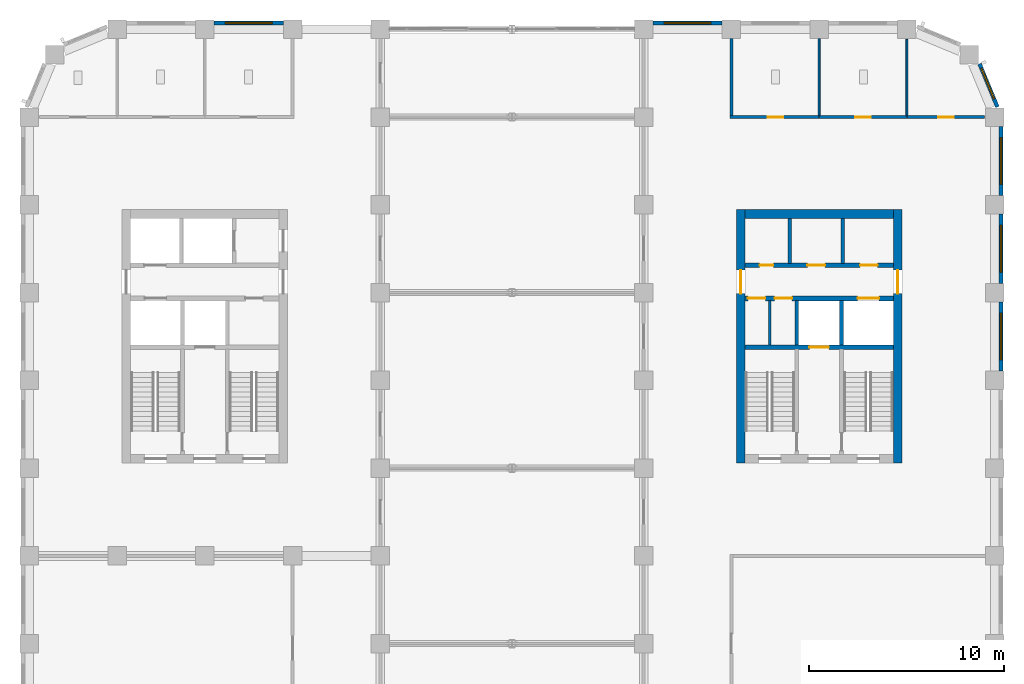
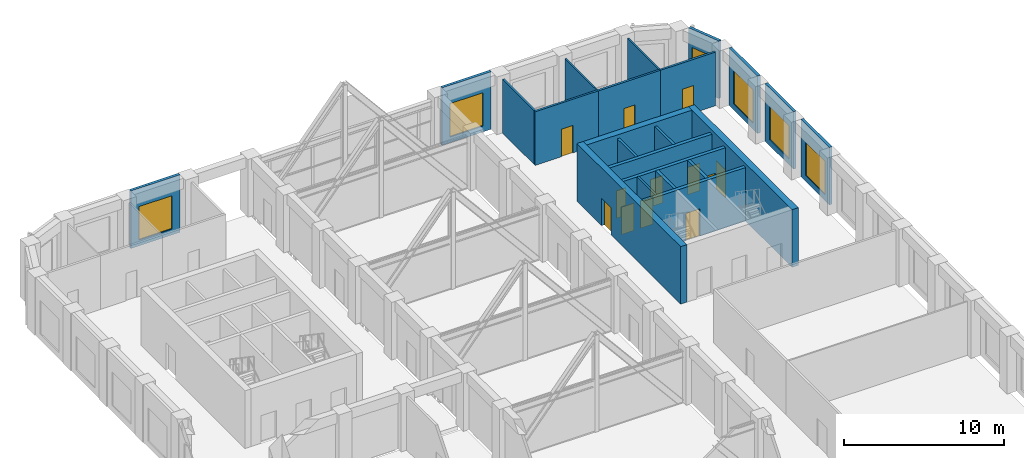
# One storey, part 11 of 15: 23 walls, 12 doors, 6 windows, 18 openings.
"""IFC4 building model written with IfcOpenShell, lengths in metres."""

from ifc_helpers import new_model, si_unit, direction, frame, frame_2d, origin, place, context, subcontext, project, spatial, rectangle, extrude, material, layer, layer_set, type_object, element, fill, save


model = new_model("IFC4")

# Units and contexts
model_context = context("Model", 3, precision=1e-05, world=origin(), true_north=direction((0.0, 1.0)))
body_context = subcontext(model_context, "Body", "Model", "MODEL_VIEW")
ifc_project = project(units=[si_unit("LENGTHUNIT", "METRE"), si_unit("AREAUNIT", "SQUARE_METRE"), si_unit("VOLUMEUNIT", "CUBIC_METRE"), si_unit("PLANEANGLEUNIT", "RADIAN"), si_unit("MASSUNIT", "GRAM", prefix="KILO")], contexts=[model_context])

# Site, building, storey
site_placement = place(None, origin())
site = spatial("IfcSite", under=ifc_project, at=site_placement, CompositionType="ELEMENT")
building_placement = place(site_placement, origin())
building = spatial("IfcBuilding", under=site, at=building_placement, Name="Girih Gate Residences", CompositionType="ELEMENT")
storey_placement = place(building_placement, frame((0.0, 0.0, 168.199951171875)))
storey = spatial("IfcBuildingStorey", under=building, at=storey_placement, Name="L46", CompositionType="ELEMENT", Elevation=168.199951171875)

# Wall, opening, door
ifc_material_1 = material(Name="Gypsum board on steel studs", Category="steel")
ifc_layer_1 = layer(ifc_material_1, 0.14990234375)
ifc_layer_set_1 = layer_set([ifc_layer_1], Name="Compartment wall 150 mm")
wall_type_1 = type_object("IfcWallType", Name="Compartment wall 150 mm", PredefinedType="PARTITIONING", material=ifc_layer_set_1)
wall_1_placement = place(storey_placement, frame((45.0, 45.0, 0.0), z_axis=(0.0, 0.0, 1.0), x_axis=(1.0, 0.0, 0.0)))
wall_1 = element("IfcWall", 1, at=wall_1_placement, inside=storey, type_object=wall_type_1, Name="L46 partition", PredefinedType="PARTITIONING", context=body_context, shape_type="SweptSolid", body=[
    extrude(rectangle(XDim=3.98583984375, YDim=0.14990234375, at=frame_2d((1.992919921875, 0.0))), origin(), (0.0, 0.0, 1.0), 4.10009765625),
])
opening_1_placement = place(wall_1_placement, frame((1.593017578125, 0.0, 0.0)))
opening_1 = element("IfcOpeningElement", 2, at=opening_1_placement, cuts=wall_1, Name="Opening D-L46-S-010", PredefinedType="OPENING", context=body_context, shape_type="SweptSolid", body=[
    extrude(rectangle(XDim=0.800048828125, YDim=2.10009765625, at=frame_2d((0.39990234375, 1.050048828125))), frame((0.0, 0.0849609375, 0.0), z_axis=(0.0, -1.0, 0.0), x_axis=(1.0, 0.0, 0.0)), (0.0, 0.0, 1.0), 0.169921875),
])
ifc_material_2 = material(Name="Timber", Category="wood")
door_type_1 = type_object("IfcDoorType", Name="WC and store door 800x2100", OperationType="SINGLE_SWING_LEFT", PredefinedType="DOOR", material=ifc_material_2)
door_1_placement = place(opening_1_placement, origin())
door_1 = element("IfcDoor", 3, at=door_1_placement, inside=storey, type_object=door_type_1, Name="Door L46-010", OperationType="SINGLE_SWING_RIGHT", OverallHeight=2.10009765625, OverallWidth=0.800048828125, PredefinedType="DOOR", context=body_context, shape_type="SweptSolid", body=[
    extrude(rectangle(XDim=0.800048828125, YDim=2.10009765625, at=frame_2d((0.39990234375, 1.050048828125))), frame((0.0, 0.02490234375, 0.0), z_axis=(0.0, -1.0, 0.0), x_axis=(1.0, 0.0, 0.0)), (0.0, 0.0, 1.0), 0.050048828125),
])
fill(opening_1, door_1)

wall_2_placement = place(storey_placement, frame((40.5, 45.0, 0.0), z_axis=(0.0, 0.0, 1.0), x_axis=(1.0, 0.0, 0.0)))
wall_2 = element("IfcWall", 4, at=wall_2_placement, inside=storey, type_object=wall_type_1, Name="L46 partition", PredefinedType="PARTITIONING", context=body_context, shape_type="SweptSolid", body=[
    extrude(rectangle(XDim=4.5, YDim=0.14990234375, at=frame_2d((2.25, 0.0))), origin(), (0.0, 0.0, 1.0), 4.10009765625),
])
opening_2_placement = place(wall_2_placement, frame((1.85009765625, 0.0, 0.0)))
opening_2 = element("IfcOpeningElement", 5, at=opening_2_placement, cuts=wall_2, Name="Opening D-L46-S-011", PredefinedType="OPENING", context=body_context, shape_type="SweptSolid", body=[
    extrude(rectangle(XDim=0.800048828125, YDim=2.10009765625, at=frame_2d((0.39990234375, 1.050048828125))), frame((0.0, 0.0849609375, 0.0), z_axis=(0.0, -1.0, 0.0), x_axis=(1.0, 0.0, 0.0)), (0.0, 0.0, 1.0), 0.169921875),
])
door_2_placement = place(opening_2_placement, origin())
door_2 = element("IfcDoor", 6, at=door_2_placement, inside=storey, type_object=door_type_1, Name="Door L46-011", OperationType="SINGLE_SWING_RIGHT", OverallHeight=2.10009765625, OverallWidth=0.800048828125, PredefinedType="DOOR", context=body_context, shape_type="SweptSolid", body=[
    extrude(rectangle(XDim=0.800048828125, YDim=2.10009765625, at=frame_2d((0.39990234375, 1.050048828125))), frame((0.0, 0.02490234375, 0.0), z_axis=(0.0, -1.0, 0.0), x_axis=(1.0, 0.0, 0.0)), (0.0, 0.0, 1.0), 0.050048828125),
])
fill(opening_2, door_2)

# Wall
wall_3_placement = place(storey_placement, frame((36.0, 45.074951171875, 0.0), z_axis=(0.0, 0.0, 1.0), x_axis=(0.0, 1.0, 0.0)))
element("IfcWall", 7, at=wall_3_placement, inside=storey, type_object=wall_type_1, Name="L46 partition", PredefinedType="PARTITIONING", context=body_context, shape_type="SweptSolid", body=[
    extrude(rectangle(XDim=3.949951171875, YDim=0.14990234375, at=frame_2d((1.97509765625, 0.0))), origin(), (0.0, 0.0, 1.0), 4.10009765625),
])

# Wall, opening, door
wall_4_placement = place(storey_placement, frame((35.925048828125, 45.0, 0.0), z_axis=(0.0, 0.0, 1.0), x_axis=(1.0, 0.0, 0.0)))
wall_4 = element("IfcWall", 8, at=wall_4_placement, inside=storey, type_object=wall_type_1, Name="L46 partition", PredefinedType="PARTITIONING", context=body_context, shape_type="SweptSolid", body=[
    extrude(rectangle(XDim=4.574951171875, YDim=0.14990234375, at=frame_2d((2.28759765625, 0.0))), origin(), (0.0, 0.0, 1.0), 4.10009765625),
])
opening_3_placement = place(wall_4_placement, frame((1.925048828125, 0.0, 0.0)))
opening_3 = element("IfcOpeningElement", 9, at=opening_3_placement, cuts=wall_4, Name="Opening D-L46-S-012", PredefinedType="OPENING", context=body_context, shape_type="SweptSolid", body=[
    extrude(rectangle(XDim=0.800048828125, YDim=2.10009765625, at=frame_2d((0.39990234375, 1.050048828125))), frame((0.0, 0.0849609375, 0.0), z_axis=(0.0, -1.0, 0.0), x_axis=(1.0, 0.0, 0.0)), (0.0, 0.0, 1.0), 0.169921875),
])
door_3_placement = place(opening_3_placement, origin())
door_3 = element("IfcDoor", 10, at=door_3_placement, inside=storey, type_object=door_type_1, Name="Door L46-012", OperationType="SINGLE_SWING_RIGHT", OverallHeight=2.10009765625, OverallWidth=0.800048828125, PredefinedType="DOOR", context=body_context, shape_type="SweptSolid", body=[
    extrude(rectangle(XDim=0.800048828125, YDim=2.10009765625, at=frame_2d((0.39990234375, 1.050048828125))), frame((0.0, 0.02490234375, 0.0), z_axis=(0.0, -1.0, 0.0), x_axis=(1.0, 0.0, 0.0)), (0.0, 0.0, 1.0), 0.050048828125),
])
fill(opening_3, door_3)

# Wall
ifc_material_3 = material(Name="Concrete C60/75", Category="concrete")
ifc_layer_2 = layer(ifc_material_3, 0.449951171875)
ifc_layer_set_2 = layer_set([ifc_layer_2], Name="Core wall RC 450 Concrete C60/75")
wall_type_2 = type_object("IfcWallType", Name="Core wall RC 450 Concrete C60/75", PredefinedType="SOLIDWALL", material=ifc_layer_set_2)
wall_5_placement = place(storey_placement, frame((36.699951171875, 40.02490234375, 0.0), z_axis=(0.0, 0.0, 1.0), x_axis=(1.0, 0.0, 0.0)))
element("IfcWall", 11, at=wall_5_placement, inside=storey, type_object=wall_type_2, Name="Core wall E-N L46", PredefinedType="SOLIDWALL", context=body_context, shape_type="SweptSolid", body=[
    extrude(rectangle(XDim=7.60009765625, YDim=0.449951171875, at=frame_2d((3.800048828125, 0.0))), origin(), (0.0, 0.0, 1.0), 4.400146484375),
])

# Wall, opening, door
wall_6_placement = place(storey_placement, frame((36.47509765625, 27.25, 0.0), z_axis=(0.0, 0.0, 1.0), x_axis=(0.0, 1.0, 0.0)))
wall_6 = element("IfcWall", 12, at=wall_6_placement, inside=storey, type_object=wall_type_2, Name="Core wall E-W L46", PredefinedType="SOLIDWALL", context=body_context, shape_type="SweptSolid", body=[
    extrude(rectangle(XDim=13.0, YDim=0.449951171875, at=frame_2d((6.5, 0.0))), origin(), (0.0, 0.0, 1.0), 4.400146484375),
])
opening_4_placement = place(wall_6_placement, frame((8.699951171875, 0.0, 0.0)))
opening_4 = element("IfcOpeningElement", 13, at=opening_4_placement, cuts=wall_6, Name="Opening D-L46-E-013", PredefinedType="OPENING", context=body_context, shape_type="SweptSolid", body=[
    extrude(rectangle(XDim=1.199951171875, YDim=2.10009765625, at=frame_2d((0.60009765625, 1.050048828125))), frame((0.0, 0.23486328125, 0.0), z_axis=(0.0, -1.0, 0.0), x_axis=(1.0, 0.0, 0.0)), (0.0, 0.0, 1.0), 0.469970703125),
])
ifc_material_4 = material(Name="Painted steel, fire-resisting", Category="steel")
door_type_2 = type_object("IfcDoorType", Name="Fire door 1200x2100", OperationType="SINGLE_SWING_LEFT", PredefinedType="DOOR", material=ifc_material_4)
door_4_placement = place(opening_4_placement, origin())
door_4 = element("IfcDoor", 14, at=door_4_placement, inside=storey, type_object=door_type_2, Name="L46 E core door ll-w", OperationType="SINGLE_SWING_LEFT", OverallHeight=2.10009765625, OverallWidth=1.199951171875, PredefinedType="DOOR", context=body_context, shape_type="SweptSolid", body=[
    extrude(rectangle(XDim=1.199951171875, YDim=2.10009765625, at=frame_2d((0.60009765625, 1.050048828125))), frame((0.0, 0.02490234375, 0.0), z_axis=(0.0, -1.0, 0.0), x_axis=(1.0, 0.0, 0.0)), (0.0, 0.0, 1.0), 0.050048828125),
])
fill(opening_4, door_4)

wall_7_placement = place(storey_placement, frame((44.52490234375, 27.25, 0.0), z_axis=(0.0, 0.0, 1.0), x_axis=(0.0, 1.0, 0.0)))
wall_7 = element("IfcWall", 15, at=wall_7_placement, inside=storey, type_object=wall_type_2, Name="Core wall E-E L46", PredefinedType="SOLIDWALL", context=body_context, shape_type="SweptSolid", body=[
    extrude(rectangle(XDim=13.0, YDim=0.449951171875, at=frame_2d((6.5, 0.0))), origin(), (0.0, 0.0, 1.0), 4.400146484375),
])
opening_5_placement = place(wall_7_placement, frame((8.699951171875, 0.0, 0.0)))
opening_5 = element("IfcOpeningElement", 16, at=opening_5_placement, cuts=wall_7, Name="Opening D-L46-E-014", PredefinedType="OPENING", context=body_context, shape_type="SweptSolid", body=[
    extrude(rectangle(XDim=1.199951171875, YDim=2.10009765625, at=frame_2d((0.60009765625, 1.050048828125))), frame((0.0, 0.23486328125, 0.0), z_axis=(0.0, -1.0, 0.0), x_axis=(1.0, 0.0, 0.0)), (0.0, 0.0, 1.0), 0.469970703125),
])
door_5_placement = place(opening_5_placement, origin())
door_5 = element("IfcDoor", 17, at=door_5_placement, inside=storey, type_object=door_type_2, Name="L46 E core door ll-e", OperationType="SINGLE_SWING_LEFT", OverallHeight=2.10009765625, OverallWidth=1.199951171875, PredefinedType="DOOR", context=body_context, shape_type="SweptSolid", body=[
    extrude(rectangle(XDim=1.199951171875, YDim=2.10009765625, at=frame_2d((0.60009765625, 1.050048828125))), frame((0.0, 0.02490234375, 0.0), z_axis=(0.0, -1.0, 0.0), x_axis=(1.0, 0.0, 0.0)), (0.0, 0.0, 1.0), 0.050048828125),
])
fill(opening_5, door_5)

ifc_material_5 = material(Name="Concrete C40/50", Category="concrete")
ifc_layer_3 = layer(ifc_material_5, 0.25)
ifc_layer_set_3 = layer_set([ifc_layer_3], Name="Lift shaft wall 250")
wall_type_3 = type_object("IfcWallType", Name="Lift shaft wall 250", PredefinedType="SOLIDWALL", material=ifc_layer_set_3)
wall_8_placement = place(storey_placement, frame((36.699951171875, 33.199951171875, 0.0), z_axis=(0.0, 0.0, 1.0), x_axis=(1.0, 0.0, 0.0)))
wall_8 = element("IfcWall", 18, at=wall_8_placement, inside=storey, type_object=wall_type_3, Name="L46 E core wall H1", PredefinedType="SOLIDWALL", context=body_context, shape_type="SweptSolid", body=[
    extrude(rectangle(XDim=7.60009765625, YDim=0.25, at=frame_2d((3.800048828125, 0.0))), origin(), (0.0, 0.0, 1.0), 4.10009765625),
])
opening_6_placement = place(wall_8_placement, frame((3.300048828125, 0.0, 0.0)))
opening_6 = element("IfcOpeningElement", 19, at=opening_6_placement, cuts=wall_8, Name="Opening D-L46-E-004", PredefinedType="OPENING", context=body_context, shape_type="SweptSolid", body=[
    extrude(rectangle(XDim=1.0, YDim=2.10009765625, at=frame_2d((0.5, 1.050048828125))), frame((0.0, 0.135009765625, 0.0), z_axis=(0.0, -1.0, 0.0), x_axis=(1.0, 0.0, 0.0)), (0.0, 0.0, 1.0), 0.27001953125),
])
ifc_material_6 = material(Name="Stainless steel, fire-resisting", Category="steel")
door_type_3 = type_object("IfcDoorType", Name="Firefighting lift landing door 1000x2100", OperationType="SLIDING_TO_LEFT", PredefinedType="DOOR", material=ifc_material_6)
door_6_placement = place(opening_6_placement, origin())
door_6 = element("IfcDoor", 20, at=door_6_placement, inside=storey, type_object=door_type_3, Name="L46 lift FF-E landing door", OperationType="SLIDING_TO_LEFT", OverallHeight=2.10009765625, OverallWidth=1.0, PredefinedType="DOOR", context=body_context, shape_type="SweptSolid", body=[
    extrude(rectangle(XDim=1.0, YDim=2.10009765625, at=frame_2d((0.5, 1.050048828125))), frame((0.0, 0.02490234375, 0.0), z_axis=(0.0, -1.0, 0.0), x_axis=(1.0, 0.0, 0.0)), (0.0, 0.0, 1.0), 0.050048828125),
])
fill(opening_6, door_6)

# Wall, openings, doors
wall_9_placement = place(storey_placement, frame((36.699951171875, 35.699951171875, 0.0), z_axis=(0.0, 0.0, 1.0), x_axis=(1.0, 0.0, 0.0)))
wall_9 = element("IfcWall", 21, at=wall_9_placement, inside=storey, type_object=wall_type_3, Name="L46 E core wall H2", PredefinedType="SOLIDWALL", context=body_context, shape_type="SweptSolid", body=[
    extrude(rectangle(XDim=7.60009765625, YDim=0.25, at=frame_2d((3.800048828125, 0.0))), origin(), (0.0, 0.0, 1.0), 4.10009765625),
])
opening_7_placement = place(wall_9_placement, frame((5.77490234375, 0.0, 0.0)))
opening_7 = element("IfcOpeningElement", 22, at=opening_7_placement, cuts=wall_9, Name="Opening D-L46-E-003", PredefinedType="OPENING", context=body_context, shape_type="SweptSolid", body=[
    extrude(rectangle(XDim=1.10009765625, YDim=2.39990234375, at=frame_2d((0.550048828125, 1.199951171875))), frame((0.0, 0.135009765625, 0.0), z_axis=(0.0, -1.0, 0.0), x_axis=(1.0, 0.0, 0.0)), (0.0, 0.0, 1.0), 0.27001953125),
])
opening_8_placement = place(wall_9_placement, frame((1.512451171875, 0.0, 0.0)))
opening_8 = element("IfcOpeningElement", 23, at=opening_8_placement, cuts=wall_9, Name="Opening D-L46-E-006", PredefinedType="OPENING", context=body_context, shape_type="SweptSolid", body=[
    extrude(rectangle(XDim=0.89990234375, YDim=2.10009765625, at=frame_2d((0.449951171875, 1.050048828125))), frame((0.0, 0.135009765625, 0.0), z_axis=(0.0, -1.0, 0.0), x_axis=(1.0, 0.0, 0.0)), (0.0, 0.0, 1.0), 0.27001953125),
])
opening_9_placement = place(wall_9_placement, frame((0.137451171875, 0.0, 0.0)))
opening_9 = element("IfcOpeningElement", 24, at=opening_9_placement, cuts=wall_9, Name="Opening D-L46-E-007", PredefinedType="OPENING", context=body_context, shape_type="SweptSolid", body=[
    extrude(rectangle(XDim=0.89990234375, YDim=2.10009765625, at=frame_2d((0.449951171875, 1.050048828125))), frame((0.0, 0.135009765625, 0.0), z_axis=(0.0, -1.0, 0.0), x_axis=(1.0, 0.0, 0.0)), (0.0, 0.0, 1.0), 0.27001953125),
])
door_type_4 = type_object("IfcDoorType", Name="Fire door 900x2100", OperationType="SINGLE_SWING_LEFT", PredefinedType="DOOR", material=ifc_material_4)
door_7_placement = place(opening_8_placement, origin())
door_7 = element("IfcDoor", 25, at=door_7_placement, inside=storey, type_object=door_type_4, Name="L46 E riser room door", OperationType="SINGLE_SWING_LEFT", OverallHeight=2.10009765625, OverallWidth=0.89990234375, PredefinedType="DOOR", context=body_context, shape_type="SweptSolid", body=[
    extrude(rectangle(XDim=0.89990234375, YDim=2.10009765625, at=frame_2d((0.449951171875, 1.050048828125))), frame((0.0, 0.02490234375, 0.0), z_axis=(0.0, -1.0, 0.0), x_axis=(1.0, 0.0, 0.0)), (0.0, 0.0, 1.0), 0.050048828125),
])
fill(opening_8, door_7)
door_8_placement = place(opening_9_placement, origin())
door_8 = element("IfcDoor", 26, at=door_8_placement, inside=storey, type_object=door_type_4, Name="L46 E linen store door", OperationType="SINGLE_SWING_LEFT", OverallHeight=2.10009765625, OverallWidth=0.89990234375, PredefinedType="DOOR", context=body_context, shape_type="SweptSolid", body=[
    extrude(rectangle(XDim=0.89990234375, YDim=2.10009765625, at=frame_2d((0.449951171875, 1.050048828125))), frame((0.0, 0.02490234375, 0.0), z_axis=(0.0, -1.0, 0.0), x_axis=(1.0, 0.0, 0.0)), (0.0, 0.0, 1.0), 0.050048828125),
])
fill(opening_9, door_8)
ifc_material_7 = material(Name="Stainless steel", Category="steel")
door_type_5 = type_object("IfcDoorType", Name="Lift landing door 1100x2400", OperationType="SLIDING_TO_LEFT", PredefinedType="DOOR", material=ifc_material_7)
door_9_placement = place(opening_7_placement, origin())
door_9 = element("IfcDoor", 27, at=door_9_placement, inside=storey, type_object=door_type_5, Name="L46 lift HR-E1 landing door", OperationType="SLIDING_TO_LEFT", OverallHeight=2.39990234375, OverallWidth=1.10009765625, PredefinedType="DOOR", context=body_context, shape_type="SweptSolid", body=[
    extrude(rectangle(XDim=1.10009765625, YDim=2.39990234375, at=frame_2d((0.550048828125, 1.199951171875))), frame((0.0, 0.02490234375, 0.0), z_axis=(0.0, -1.0, 0.0), x_axis=(1.0, 0.0, 0.0)), (0.0, 0.0, 1.0), 0.050048828125),
])
fill(opening_7, door_9)

wall_10_placement = place(storey_placement, frame((36.699951171875, 37.39990234375, 0.0), z_axis=(0.0, 0.0, 1.0), x_axis=(1.0, 0.0, 0.0)))
wall_10 = element("IfcWall", 28, at=wall_10_placement, inside=storey, type_object=wall_type_3, Name="L46 E core wall H3", PredefinedType="SOLIDWALL", context=body_context, shape_type="SweptSolid", body=[
    extrude(rectangle(XDim=7.60009765625, YDim=0.25, at=frame_2d((3.800048828125, 0.0))), origin(), (0.0, 0.0, 1.0), 4.10009765625),
])
opening_10_placement = place(wall_10_placement, frame((0.75, 0.0, 0.0)))
opening_10 = element("IfcOpeningElement", 29, at=opening_10_placement, cuts=wall_10, Name="Opening D-L46-E-005", PredefinedType="OPENING", context=body_context, shape_type="SweptSolid", body=[
    extrude(rectangle(XDim=0.699951171875, YDim=2.10009765625, at=frame_2d((0.35009765625, 1.050048828125))), frame((0.0, 0.135009765625, 0.0), z_axis=(0.0, -1.0, 0.0), x_axis=(1.0, 0.0, 0.0)), (0.0, 0.0, 1.0), 0.27001953125),
])
opening_11_placement = place(wall_10_placement, frame((5.89990234375, 0.0, 0.0)))
opening_11 = element("IfcOpeningElement", 30, at=opening_11_placement, cuts=wall_10, Name="Opening D-L46-E-008", PredefinedType="OPENING", context=body_context, shape_type="SweptSolid", body=[
    extrude(rectangle(XDim=0.89990234375, YDim=2.10009765625, at=frame_2d((0.449951171875, 1.050048828125))), frame((0.0, 0.135009765625, 0.0), z_axis=(0.0, -1.0, 0.0), x_axis=(1.0, 0.0, 0.0)), (0.0, 0.0, 1.0), 0.27001953125),
])
opening_12_placement = place(wall_10_placement, frame((3.199951171875, 0.0, 0.0)))
opening_12 = element("IfcOpeningElement", 31, at=opening_12_placement, cuts=wall_10, Name="Opening D-L46-E-009", PredefinedType="OPENING", context=body_context, shape_type="SweptSolid", body=[
    extrude(rectangle(XDim=0.89990234375, YDim=2.10009765625, at=frame_2d((0.449951171875, 1.050048828125))), frame((0.0, 0.135009765625, 0.0), z_axis=(0.0, -1.0, 0.0), x_axis=(1.0, 0.0, 0.0)), (0.0, 0.0, 1.0), 0.27001953125),
])
door_10_placement = place(opening_11_placement, origin())
door_10 = element("IfcDoor", 32, at=door_10_placement, inside=storey, type_object=door_type_4, Name="L46 E pantry door", OperationType="SINGLE_SWING_LEFT", OverallHeight=2.10009765625, OverallWidth=0.89990234375, PredefinedType="DOOR", context=body_context, shape_type="SweptSolid", body=[
    extrude(rectangle(XDim=0.89990234375, YDim=2.10009765625, at=frame_2d((0.449951171875, 1.050048828125))), frame((0.0, 0.02490234375, 0.0), z_axis=(0.0, -1.0, 0.0), x_axis=(1.0, 0.0, 0.0)), (0.0, 0.0, 1.0), 0.050048828125),
])
fill(opening_11, door_10)
door_11_placement = place(opening_12_placement, origin())
door_11 = element("IfcDoor", 33, at=door_11_placement, inside=storey, type_object=door_type_4, Name="L46 E comms room door", OperationType="SINGLE_SWING_LEFT", OverallHeight=2.10009765625, OverallWidth=0.89990234375, PredefinedType="DOOR", context=body_context, shape_type="SweptSolid", body=[
    extrude(rectangle(XDim=0.89990234375, YDim=2.10009765625, at=frame_2d((0.449951171875, 1.050048828125))), frame((0.0, 0.02490234375, 0.0), z_axis=(0.0, -1.0, 0.0), x_axis=(1.0, 0.0, 0.0)), (0.0, 0.0, 1.0), 0.050048828125),
])
fill(opening_12, door_11)
door_type_6 = type_object("IfcDoorType", Name="Riser access door 700x2100", OperationType="SINGLE_SWING_LEFT", PredefinedType="DOOR", material=ifc_material_4)
door_12_placement = place(opening_10_placement, origin())
door_12 = element("IfcDoor", 34, at=door_12_placement, inside=storey, type_object=door_type_6, Name="L46 E riser room door", OperationType="SINGLE_SWING_LEFT", OverallHeight=2.10009765625, OverallWidth=0.699951171875, PredefinedType="DOOR", context=body_context, shape_type="SweptSolid", body=[
    extrude(rectangle(XDim=0.699951171875, YDim=2.10009765625, at=frame_2d((0.35009765625, 1.050048828125))), frame((0.0, 0.02490234375, 0.0), z_axis=(0.0, -1.0, 0.0), x_axis=(1.0, 0.0, 0.0)), (0.0, 0.0, 1.0), 0.050048828125),
])
fill(opening_10, door_12)

# Walls
ifc_layer_4 = layer(ifc_material_1, 0.10009765625)
ifc_layer_set_4 = layer_set([ifc_layer_4], Name="Partition 100 mm")
wall_type_4 = type_object("IfcWallType", Name="Partition 100 mm", PredefinedType="PARTITIONING", material=ifc_layer_set_4)
wall_11_placement = place(storey_placement, frame((45.0, 45.074951171875, 0.0), z_axis=(0.0, 0.0, 1.0), x_axis=(0.0, 1.0, 0.0)))
element("IfcWall", 35, at=wall_11_placement, inside=storey, type_object=wall_type_4, Name="L46 partition", PredefinedType="PARTITIONING", context=body_context, shape_type="SweptSolid", body=[
    extrude(rectangle(XDim=3.910888671875, YDim=0.10009765625, at=frame_2d((1.95556640625, 0.0))), origin(), (0.0, 0.0, 1.0), 4.10009765625),
])
wall_12_placement = place(storey_placement, frame((40.5, 45.074951171875, 0.0), z_axis=(0.0, 0.0, 1.0), x_axis=(0.0, 1.0, 0.0)))
element("IfcWall", 36, at=wall_12_placement, inside=storey, type_object=wall_type_4, Name="L46 partition", PredefinedType="PARTITIONING", context=body_context, shape_type="SweptSolid", body=[
    extrude(rectangle(XDim=3.949951171875, YDim=0.10009765625, at=frame_2d((1.97509765625, 0.0))), origin(), (0.0, 0.0, 1.0), 4.10009765625),
])

# Wall, opening, window
ifc_material_8 = material(Name="Precast concrete C50/60", Category="concrete")
ifc_layer_5 = layer(ifc_material_8, 0.06005859375, Name="Outer leaf")
ifc_material_9 = material(Name="Rigid PIR insulation")
ifc_layer_6 = layer(ifc_material_9, 0.090087890625, Name="Insulation")
ifc_material_10 = material(Name="Precast concrete C40/50", Category="concrete")
ifc_layer_7 = layer(ifc_material_10, 0.050048828125, Name="Inner leaf")
ifc_layer_set_5 = layer_set([ifc_layer_5, ifc_layer_6, ifc_layer_7], Name="Precast concrete C50/60 external wall 200")
wall_type_5 = type_object("IfcWallType", Name="Precast concrete C50/60 external wall 200", PredefinedType="SOLIDWALL", material=ifc_layer_set_5)
wall_13_placement = place(storey_placement, frame((49.824951171875, 35.52490234375, 0.0), z_axis=(0.0, 0.0, 1.0), x_axis=(0.0, -1.0, 0.0)))
wall_13 = element("IfcWall", 37, at=wall_13_placement, inside=storey, type_object=wall_type_5, Name="External wall E0495_0045.6", PredefinedType="SOLIDWALL", context=body_context, shape_type="SweptSolid", body=[
    extrude(rectangle(XDim=3.5498046875, YDim=0.199951171875, at=frame_2d((1.77490234375, 0.0))), origin(), (0.0, 0.0, 1.0), 4.400146484375),
])
opening_13_placement = place(wall_13_placement, frame((0.574951171875, 0.0, 0.449951171875)))
opening_13 = element("IfcOpeningElement", 38, at=opening_13_placement, cuts=wall_13, Name="Opening W-6B", PredefinedType="OPENING", context=body_context, shape_type="SweptSolid", body=[
    extrude(rectangle(XDim=2.39990234375, YDim=2.550048828125, at=frame_2d((1.199951171875, 1.27490234375))), frame((0.0, 0.10986328125, 0.0), z_axis=(0.0, -1.0, 0.0), x_axis=(1.0, 0.0, 0.0)), (0.0, 0.0, 1.0), 0.219970703125),
])
ifc_material_11 = material(Name="Double glazing in aluminium frame", Category="aluminium")
window_type_1 = type_object("IfcWindowType", Name="Window W-6B 2400x2550", PartitioningType="SINGLE_PANEL", PredefinedType="WINDOW", material=ifc_material_11)
window_1_placement = place(opening_13_placement, origin())
window_1 = element("IfcWindow", 39, at=window_1_placement, inside=storey, type_object=window_type_1, Name="Window W-6B E0495_0045.6", OverallHeight=2.550048828125, OverallWidth=2.39990234375, PartitioningType="SINGLE_PANEL", PredefinedType="WINDOW", context=body_context, shape_type="SweptSolid", body=[
    extrude(rectangle(XDim=2.39990234375, YDim=2.550048828125, at=frame_2d((1.199951171875, 1.27490234375))), frame((0.0, 0.030029296875, 0.0), z_axis=(0.0, -1.0, 0.0), x_axis=(1.0, 0.0, 0.0)), (0.0, 0.0, 1.0), 0.06005859375),
])
fill(opening_13, window_1)

wall_14_placement = place(storey_placement, frame((49.824951171875, 40.02490234375, 0.0), z_axis=(0.0, 0.0, 1.0), x_axis=(0.0, -1.0, 0.0)))
wall_14 = element("IfcWall", 40, at=wall_14_placement, inside=storey, type_object=wall_type_5, Name="External wall E0495_0045.7", PredefinedType="SOLIDWALL", context=body_context, shape_type="SweptSolid", body=[
    extrude(rectangle(XDim=3.5498046875, YDim=0.199951171875, at=frame_2d((1.77490234375, 0.0))), origin(), (0.0, 0.0, 1.0), 4.400146484375),
])
opening_14_placement = place(wall_14_placement, frame((0.574951171875, 0.0, 0.449951171875)))
opening_14 = element("IfcOpeningElement", 41, at=opening_14_placement, cuts=wall_14, Name="Opening W-6B", PredefinedType="OPENING", context=body_context, shape_type="SweptSolid", body=[
    extrude(rectangle(XDim=2.39990234375, YDim=2.550048828125, at=frame_2d((1.199951171875, 1.27490234375))), frame((0.0, 0.10986328125, 0.0), z_axis=(0.0, -1.0, 0.0), x_axis=(1.0, 0.0, 0.0)), (0.0, 0.0, 1.0), 0.219970703125),
])
window_2_placement = place(opening_14_placement, origin())
window_2 = element("IfcWindow", 42, at=window_2_placement, inside=storey, type_object=window_type_1, Name="Window W-6B E0495_0045.7", OverallHeight=2.550048828125, OverallWidth=2.39990234375, PartitioningType="SINGLE_PANEL", PredefinedType="WINDOW", context=body_context, shape_type="SweptSolid", body=[
    extrude(rectangle(XDim=2.39990234375, YDim=2.550048828125, at=frame_2d((1.199951171875, 1.27490234375))), frame((0.0, 0.030029296875, 0.0), z_axis=(0.0, -1.0, 0.0), x_axis=(1.0, 0.0, 0.0)), (0.0, 0.0, 1.0), 0.06005859375),
])
fill(opening_14, window_2)

wall_15_placement = place(storey_placement, frame((49.824951171875, 44.52490234375, 0.0), z_axis=(0.0, 0.0, 1.0), x_axis=(0.0, -1.0, 0.0)))
wall_15 = element("IfcWall", 43, at=wall_15_placement, inside=storey, type_object=wall_type_5, Name="External wall E0495_0045.8", PredefinedType="SOLIDWALL", context=body_context, shape_type="SweptSolid", body=[
    extrude(rectangle(XDim=3.5498046875, YDim=0.199951171875, at=frame_2d((1.77490234375, 0.0))), origin(), (0.0, 0.0, 1.0), 4.400146484375),
])
opening_15_placement = place(wall_15_placement, frame((0.574951171875, 0.0, 0.449951171875)))
opening_15 = element("IfcOpeningElement", 44, at=opening_15_placement, cuts=wall_15, Name="Opening W-6B", PredefinedType="OPENING", context=body_context, shape_type="SweptSolid", body=[
    extrude(rectangle(XDim=2.39990234375, YDim=2.550048828125, at=frame_2d((1.199951171875, 1.27490234375))), frame((0.0, 0.10986328125, 0.0), z_axis=(0.0, -1.0, 0.0), x_axis=(1.0, 0.0, 0.0)), (0.0, 0.0, 1.0), 0.219970703125),
])
window_3_placement = place(opening_15_placement, origin())
window_3 = element("IfcWindow", 45, at=window_3_placement, inside=storey, type_object=window_type_1, Name="Window W-6B E0495_0045.8", OverallHeight=2.550048828125, OverallWidth=2.39990234375, PartitioningType="SINGLE_PANEL", PredefinedType="WINDOW", context=body_context, shape_type="SweptSolid", body=[
    extrude(rectangle(XDim=2.39990234375, YDim=2.550048828125, at=frame_2d((1.199951171875, 1.27490234375))), frame((0.0, 0.030029296875, 0.0), z_axis=(0.0, -1.0, 0.0), x_axis=(1.0, 0.0, 0.0)), (0.0, 0.0, 1.0), 0.06005859375),
])
fill(opening_15, window_3)

wall_16_placement = place(storey_placement, frame((48.7197265625, 47.73291015625, 0.0), z_axis=(0.0, 0.0, 1.0), x_axis=(0.382680855588, -0.923880599843, 0.0)))
wall_16 = element("IfcWall", 46, at=wall_16_placement, inside=storey, type_object=wall_type_5, Name="External wall NE0495_0450.0", PredefinedType="SOLIDWALL", context=body_context, shape_type="SweptSolid", body=[
    extrude(rectangle(XDim=2.402587890625, YDim=0.199951171875, at=frame_2d((1.201171875, 0.0))), origin(), (0.0, 0.0, 1.0), 4.400146484375),
])
opening_16_placement = place(wall_16_placement, frame((0.25146484375, 0.0, 0.449951171875)))
opening_16 = element("IfcOpeningElement", 47, at=opening_16_placement, cuts=wall_16, Name="Opening W-2F", PredefinedType="OPENING", context=body_context, shape_type="SweptSolid", body=[
    extrude(rectangle(XDim=1.699951171875, YDim=2.550048828125, at=frame_2d((0.85009765625, 1.27490234375))), frame((0.0, 0.10986328125, 0.0), z_axis=(0.0, -1.0, 0.0), x_axis=(1.0, 0.0, 0.0)), (0.0, 0.0, 1.0), 0.219970703125),
])
window_type_2 = type_object("IfcWindowType", Name="Window W-2F 1700x2550", PartitioningType="SINGLE_PANEL", PredefinedType="WINDOW", material=ifc_material_11)
window_4_placement = place(opening_16_placement, origin())
window_4 = element("IfcWindow", 48, at=window_4_placement, inside=storey, type_object=window_type_2, Name="Window W-2F NE0495_0450.0", OverallHeight=2.550048828125, OverallWidth=1.699951171875, PartitioningType="SINGLE_PANEL", PredefinedType="WINDOW", context=body_context, shape_type="SweptSolid", body=[
    extrude(rectangle(XDim=1.699951171875, YDim=2.550048828125, at=frame_2d((0.85009765625, 1.27490234375))), frame((0.0, 0.030029296875, 0.0), z_axis=(0.0, -1.0, 0.0), x_axis=(1.0, 0.0, 0.0)), (0.0, 0.0, 1.0), 0.06005859375),
])
fill(opening_16, window_4)

wall_17_placement = place(storey_placement, frame((31.97509765625, 49.824951171875, 0.0), z_axis=(0.0, 0.0, 1.0), x_axis=(1.0, 0.0, 0.0)))
wall_17 = element("IfcWall", 49, at=wall_17_placement, inside=storey, type_object=wall_type_5, Name="External wall N0450_0495.2", PredefinedType="SOLIDWALL", context=body_context, shape_type="SweptSolid", body=[
    extrude(rectangle(XDim=3.5498046875, YDim=0.199951171875, at=frame_2d((1.77490234375, 0.0))), origin(), (0.0, 0.0, 1.0), 4.400146484375),
])
opening_17_placement = place(wall_17_placement, frame((0.574951171875, 0.0, 0.449951171875)))
opening_17 = element("IfcOpeningElement", 50, at=opening_17_placement, cuts=wall_17, Name="Opening W-6B", PredefinedType="OPENING", context=body_context, shape_type="SweptSolid", body=[
    extrude(rectangle(XDim=2.39990234375, YDim=2.550048828125, at=frame_2d((1.199951171875, 1.27490234375))), frame((0.0, 0.10986328125, 0.0), z_axis=(0.0, -1.0, 0.0), x_axis=(1.0, 0.0, 0.0)), (0.0, 0.0, 1.0), 0.219970703125),
])
window_5_placement = place(opening_17_placement, origin())
window_5 = element("IfcWindow", 51, at=window_5_placement, inside=storey, type_object=window_type_1, Name="Window W-6B N0450_0495.2", OverallHeight=2.550048828125, OverallWidth=2.39990234375, PartitioningType="SINGLE_PANEL", PredefinedType="WINDOW", context=body_context, shape_type="SweptSolid", body=[
    extrude(rectangle(XDim=2.39990234375, YDim=2.550048828125, at=frame_2d((1.199951171875, 1.27490234375))), frame((0.0, 0.030029296875, 0.0), z_axis=(0.0, -1.0, 0.0), x_axis=(1.0, 0.0, 0.0)), (0.0, 0.0, 1.0), 0.06005859375),
])
fill(opening_17, window_5)

wall_18_placement = place(storey_placement, frame((9.47509765625, 49.824951171875, 0.0), z_axis=(0.0, 0.0, 1.0), x_axis=(1.0, 0.0, 0.0)))
wall_18 = element("IfcWall", 52, at=wall_18_placement, inside=storey, type_object=wall_type_5, Name="External wall N0450_0495.7", PredefinedType="SOLIDWALL", context=body_context, shape_type="SweptSolid", body=[
    extrude(rectangle(XDim=3.5498046875, YDim=0.199951171875, at=frame_2d((1.77490234375, 0.0))), origin(), (0.0, 0.0, 1.0), 4.400146484375),
])
opening_18_placement = place(wall_18_placement, frame((0.574951171875, 0.0, 0.449951171875)))
opening_18 = element("IfcOpeningElement", 53, at=opening_18_placement, cuts=wall_18, Name="Opening W-6B", PredefinedType="OPENING", context=body_context, shape_type="SweptSolid", body=[
    extrude(rectangle(XDim=2.39990234375, YDim=2.550048828125, at=frame_2d((1.199951171875, 1.27490234375))), frame((0.0, 0.10986328125, 0.0), z_axis=(0.0, -1.0, 0.0), x_axis=(1.0, 0.0, 0.0)), (0.0, 0.0, 1.0), 0.219970703125),
])
window_6_placement = place(opening_18_placement, origin())
window_6 = element("IfcWindow", 54, at=window_6_placement, inside=storey, type_object=window_type_1, Name="Window W-6B N0450_0495.7", OverallHeight=2.550048828125, OverallWidth=2.39990234375, PartitioningType="SINGLE_PANEL", PredefinedType="WINDOW", context=body_context, shape_type="SweptSolid", body=[
    extrude(rectangle(XDim=2.39990234375, YDim=2.550048828125, at=frame_2d((1.199951171875, 1.27490234375))), frame((0.0, 0.030029296875, 0.0), z_axis=(0.0, -1.0, 0.0), x_axis=(1.0, 0.0, 0.0)), (0.0, 0.0, 1.0), 0.06005859375),
])
fill(opening_18, window_6)

# Walls
ifc_layer_8 = layer(ifc_material_5, 0.175048828125)
ifc_layer_set_6 = layer_set([ifc_layer_8], Name="Riser shaft wall 175")
wall_type_6 = type_object("IfcWallType", Name="Riser shaft wall 175", PredefinedType="SOLIDWALL", material=ifc_layer_set_6)
for number, where, z_axis, x_axis, name in (
    (55, (41.699951171875, 37.5, 0.0), (0.0, 0.0, 1.0), (0.0, 1.0, 0.0), "L46 E core wall V1c"),
    (56, (39.0, 37.5, 0.0), (0.0, 0.0, 1.0), (0.0, 1.0, 0.0), "L46 E core wall V2c"),
):
    element("IfcWall", number, at=place(storey_placement, frame(where, z_axis=z_axis, x_axis=x_axis)), inside=storey, type_object=wall_type_6, Name=name, PredefinedType="SOLIDWALL", context=body_context, shape_type="SweptSolid", body=[
        extrude(rectangle(XDim=2.300048828125, YDim=0.175048828125, at=frame_2d((1.14990234375, 0.0))), origin(), (0.0, 0.0, 1.0), 4.10009765625),
    ])
ifc_layer_9 = layer(ifc_material_5, 0.199951171875)
ifc_layer_set_7 = layer_set([ifc_layer_9], Name="Shaft wall 200")
wall_type_7 = type_object("IfcWallType", Name="Shaft wall 200", PredefinedType="SOLIDWALL", material=ifc_layer_set_7)
for number, where, z_axis, x_axis, name in (
    (57, (41.64990234375, 33.300048828125, 0.0), (0.0, 0.0, 1.0), (0.0, 1.0, 0.0), "L46 E core wall V1b"),
    (58, (39.35009765625, 33.300048828125, 0.0), (0.0, 0.0, 1.0), (0.0, 1.0, 0.0), "L46 E core wall V2b"),
):
    element("IfcWall", number, at=place(storey_placement, frame(where, z_axis=z_axis, x_axis=x_axis)), inside=storey, type_object=wall_type_7, Name=name, PredefinedType="SOLIDWALL", context=body_context, shape_type="SweptSolid", body=[
        extrude(rectangle(XDim=2.300048828125, YDim=0.199951171875, at=frame_2d((1.14990234375, 0.0))), origin(), (0.0, 0.0, 1.0), 4.10009765625),
    ])
ifc_material_12 = material(Name="Calcium silicate blockwork", Category="masonry")
ifc_layer_10 = layer(ifc_material_12, 0.125)
ifc_layer_set_8 = layer_set([ifc_layer_10], Name="Store partition 125")
wall_type_8 = type_object("IfcWallType", Name="Store partition 125", PredefinedType="PARTITIONING", material=ifc_layer_set_8)
wall_19_placement = place(storey_placement, frame((37.97509765625, 33.300048828125, 0.0), z_axis=(0.0, 0.0, 1.0), x_axis=(0.0, 1.0, 0.0)))
element("IfcWall", 59, at=wall_19_placement, inside=storey, type_object=wall_type_8, Name="L46 E core wall SHR2", PredefinedType="PARTITIONING", context=body_context, shape_type="SweptSolid", body=[
    extrude(rectangle(XDim=2.300048828125, YDim=0.125, at=frame_2d((1.14990234375, 0.0))), origin(), (0.0, 0.0, 1.0), 4.10009765625),
])

save(model, "model.ifc")
